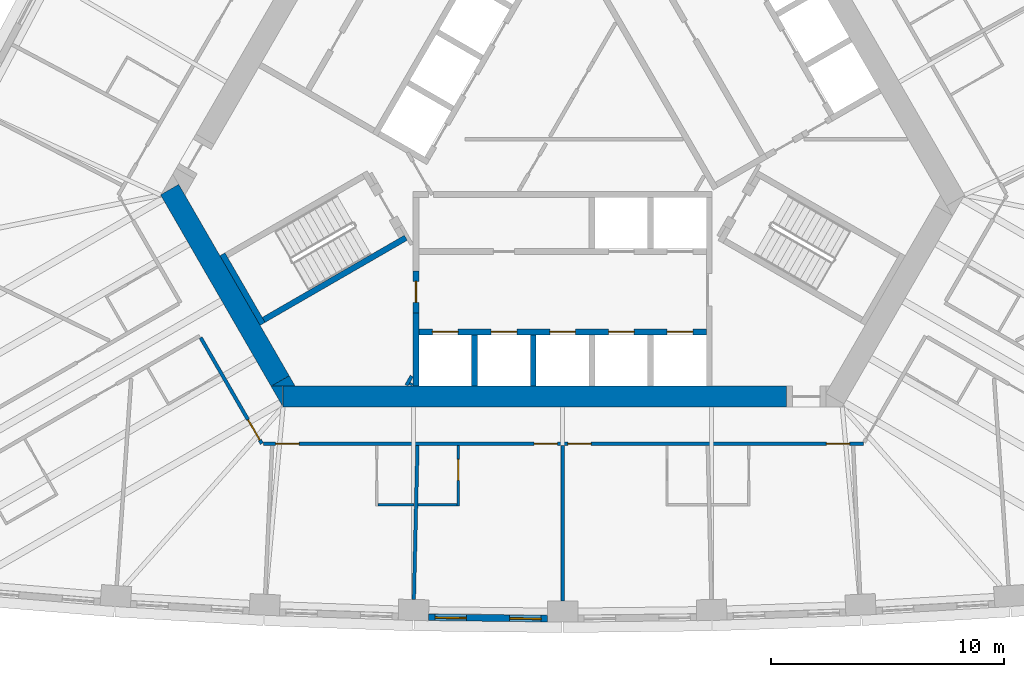
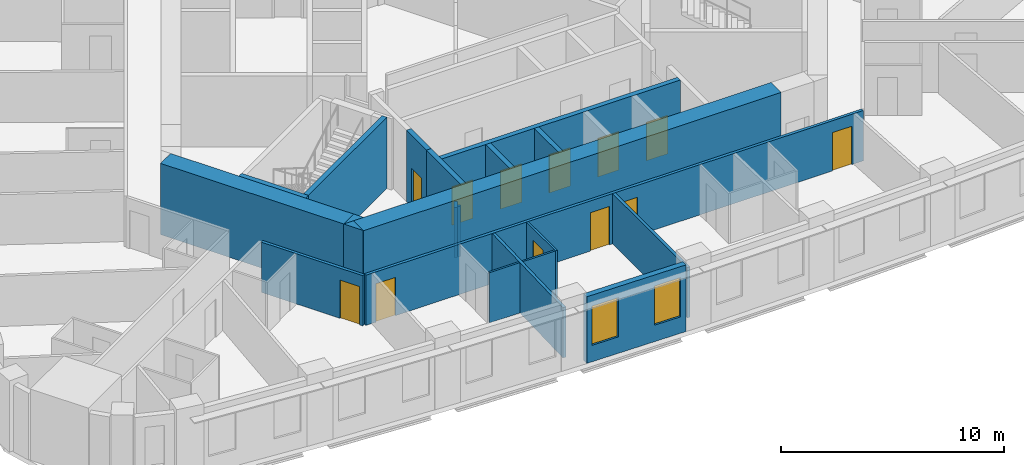
# One storey, part 4 of 13: 21 walls, 12 doors, 2 windows, 14 openings.
"""IFC4 building model written with IfcOpenShell, lengths in metres."""

import ifcopenshell
import ifcopenshell.guid

model = None  # the IFC model being written
_history = None  # IfcOwnerHistory: only IFC2X3 demands one
_inside = {}  # id of a spatial element -> (the spatial element, [elements in it])
_under = {}  # id of a project, library or spatial element -> (it, [spatial elements below it])
_declared = {}  # id of a project -> (the project, [libraries it declares])
_typed = {}  # id of a type object -> (the type object, [elements of that type])
_made_of = {}  # id of a material, layer set ... -> (it, [elements and type objects made of it])


def new_model(schema):
    """Start an empty IFC model of exactly this schema.

    Asked for "IFC4X3", IfcOpenShell would pick the latest addendum, in which some entities
    have other attributes; the version numbers below select the first issue.
    IFC2X3 requires an IfcOwnerHistory on every rooted entity: one is made here for all.
    """
    global model, _history
    if schema == "IFC4X3":
        model = ifcopenshell.file(schema_version=(4, 3, 0, 0))
    else:
        model = ifcopenshell.file(schema=schema)
    _inside.clear()
    _under.clear()
    _declared.clear()
    _typed.clear()
    _made_of.clear()
    _history = None
    if model.schema == "IFC2X3":
        org = make("IfcOrganization", Name="unknown")
        user = make(
            "IfcPersonAndOrganization",
            ThePerson=make("IfcPerson", FamilyName="unknown"),
            TheOrganization=org,
        )
        app = make(
            "IfcApplication",
            ApplicationDeveloper=org,
            Version="unknown",
            ApplicationFullName="unknown",
            ApplicationIdentifier="unknown",
        )
        _history = make(
            "IfcOwnerHistory",
            OwningUser=user,
            OwningApplication=app,
            ChangeAction="ADDED",
            CreationDate=0,
        )
    return model


def make(cls, **values):
    """One entity of the class cls with the attributes given. An attribute that is None is left unset."""
    return model.create_entity(
        cls, **{name: value for name, value in values.items() if value is not None}
    )


def rooted(cls, **values):
    """An entity with a GlobalId (a new one), such as an element, a storey or a relation."""
    return make(cls, GlobalId=ifcopenshell.guid.new(), OwnerHistory=_history, **values)


def si_unit(unit_type, name, prefix=None):
    """IfcSIUnit, for example si_unit("LENGTHUNIT", "METRE", prefix="MILLI")."""
    return make("IfcSIUnit", UnitType=unit_type, Prefix=prefix, Name=name)


def assignment(units):
    """IfcUnitAssignment: the units of a project."""
    return None if units is None else make("IfcUnitAssignment", Units=units)


def point(xyz):
    """IfcCartesianPoint."""
    return None if xyz is None else make("IfcCartesianPoint", Coordinates=xyz)


def direction(xyz):
    """IfcDirection."""
    return None if xyz is None else make("IfcDirection", DirectionRatios=xyz)


def frame(location, z_axis=None, x_axis=None):
    """IfcAxis2Placement3D, a coordinate frame: its origin and axes. An axis left out is left unset."""
    return make(
        "IfcAxis2Placement3D",
        Location=point(location),
        Axis=direction(z_axis),
        RefDirection=direction(x_axis),
    )


def frame_2d(location, x_axis=None):
    """IfcAxis2Placement2D, a coordinate frame in the plane: its origin and x axis."""
    return make(
        "IfcAxis2Placement2D", Location=point(location), RefDirection=direction(x_axis)
    )


def origin():
    """The frame at (0, 0, 0) with its axes left unset."""
    return frame((0.0, 0.0, 0.0))


def place(relative_to, where):
    """IfcLocalPlacement: puts the frame where relative to a parent placement (None: the world)."""
    return make(
        "IfcLocalPlacement", PlacementRelTo=relative_to, RelativePlacement=where
    )


def context(
    kind, dimensions, precision=None, world=None, true_north=None, identifier=None
):
    """IfcGeometricRepresentationContext, for example the 3D "Model" context."""
    return make(
        "IfcGeometricRepresentationContext",
        ContextIdentifier=identifier,
        ContextType=kind,
        CoordinateSpaceDimension=dimensions,
        Precision=precision,
        WorldCoordinateSystem=world,
        TrueNorth=true_north,
    )


def subcontext(parent, identifier, kind, view, scale=None):
    """IfcGeometricRepresentationSubContext, for example "Body" below "Model"."""
    return make(
        "IfcGeometricRepresentationSubContext",
        ContextIdentifier=identifier,
        ContextType=kind,
        ParentContext=parent,
        TargetScale=scale,
        TargetView=view,
    )


def project(units=None, contexts=None):
    """IfcProject with its units and contexts."""
    return rooted(
        "IfcProject",
        Name="project",
        RepresentationContexts=contexts,
        UnitsInContext=assignment(units),
    )


def spatial(cls, under=None, at=None, **own):
    """A site, building, storey or space (cls), placed at a placement, below another one or the project."""
    s = rooted(cls, ObjectPlacement=at, **own)
    if under is not None:
        _under.setdefault(under.id(), (under, []))[1].append(s)
    return s


def polyline(points):
    """IfcPolyline through the points."""
    return make("IfcPolyline", Points=[point(p) for p in points])


def profile(cls, at=None, kind="AREA", **sizes):
    """A parametric profile (cls). Its sizes go by their IFC names, for example OverallWidth=200.0."""
    return make(cls, ProfileType=kind, Position=at, **sizes)


def rectangle(**sizes):
    """IfcRectangleProfileDef."""
    return profile("IfcRectangleProfileDef", **sizes)


def outline(outer, holes=None, kind="AREA"):
    """IfcArbitraryClosedProfileDef: a profile drawn as a closed curve; with holes, ...WithVoids."""
    if holes is None:
        return make("IfcArbitraryClosedProfileDef", ProfileType=kind, OuterCurve=outer)
    return make(
        "IfcArbitraryProfileDefWithVoids",
        ProfileType=kind,
        OuterCurve=outer,
        InnerCurves=holes,
    )


def extrude(swept, where, along, depth):
    """IfcExtrudedAreaSolid: the profile swept, set in the frame where, extruded along a direction by depth."""
    return make(
        "IfcExtrudedAreaSolid",
        SweptArea=swept,
        Position=where,
        ExtrudedDirection=direction(along),
        Depth=depth,
    )


def shape(context_of_items, identifier, shape_type, items):
    """IfcShapeRepresentation: the items that make up one representation, for example the "Body"."""
    return make(
        "IfcShapeRepresentation",
        ContextOfItems=context_of_items,
        RepresentationIdentifier=identifier,
        RepresentationType=shape_type,
        Items=items,
    )


def material(Name=None, Category=None):
    """IfcMaterial."""
    return make("IfcMaterial", Name=Name, Category=Category)


def layer(
    of_material, thickness, ventilated=None, Name=None, Category=None, Priority=None
):
    """IfcMaterialLayer: one layer of a wall or slab, of a material (None: an air gap)."""
    return make(
        "IfcMaterialLayer",
        Material=of_material,
        LayerThickness=thickness,
        IsVentilated=ventilated,
        Name=Name,
        Category=Category,
        Priority=Priority,
    )


def layer_set(layers, Name=None):
    """IfcMaterialLayerSet."""
    return make("IfcMaterialLayerSet", MaterialLayers=layers, LayerSetName=Name)


def made_of(thing, what):
    """Note that an element or type object is made of a material, layer set ...; save() writes the relation."""
    if what is not None:
        _made_of.setdefault(what.id(), (what, []))[1].append(thing)
    return thing


def type_object(cls, material=None, **own):
    """A type object (cls), such as IfcWallType, which elements share."""
    return made_of(rooted(cls, **own), material)


def element(
    cls,
    number,
    at=None,
    inside=None,
    cuts=None,
    type_object=None,
    material=None,
    context=None,
    identifier="Body",
    shape_type=None,
    held_by="IfcProductDefinitionShape",
    body=None,
    shapes=None,
    **own,
):
    """One element of the class cls, such as IfcWall. Its Tag is "e" and its number.

    at: its placement. inside: the storey or other place that contains it. cuts: it is an
    opening in that element (IfcRelVoidsElement). A single representation is given by context,
    identifier, shape_type and body (its items); several are given by shapes. held_by: the class
    of the entity that holds the representations. save() writes the other relations.
    """
    e = rooted(cls, Tag="e%d" % number, ObjectPlacement=at, **own)
    if body is not None:
        shapes = [shape(context, identifier, shape_type, body)]
    if shapes is not None:
        e.Representation = make(held_by, Representations=shapes)
    if inside is not None:
        _inside.setdefault(inside.id(), (inside, []))[1].append(e)
    if cuts is not None:
        rooted(
            "IfcRelVoidsElement", RelatingBuildingElement=cuts, RelatedOpeningElement=e
        )
    if type_object is not None:
        _typed.setdefault(type_object.id(), (type_object, []))[1].append(e)
    return made_of(e, material)


def fill(opening, filler):
    """IfcRelFillsElement: the door or window that sits in an opening."""
    return rooted(
        "IfcRelFillsElement",
        RelatingOpeningElement=opening,
        RelatedBuildingElement=filler,
    )


def aggregate(whole, parts):
    """IfcRelAggregates: a whole, such as a stair, and the parts it consists of."""
    return rooted("IfcRelAggregates", RelatingObject=whole, RelatedObjects=parts)


def save(model, path):
    """Write the relations noted so far, then the file.

    IfcRelAggregates (storeys below a building ...), IfcRelContainedInSpatialStructure (elements
    in a storey), IfcRelDefinesByType, IfcRelAssociatesMaterial and IfcRelDeclares: one each for
    every whole, place, type object, material and project.
    """
    for whole, parts in _under.values():
        aggregate(whole, parts)
    for where, things in _inside.values():
        rooted(
            "IfcRelContainedInSpatialStructure",
            RelatedElements=things,
            RelatingStructure=where,
        )
    for kind, things in _typed.values():
        rooted("IfcRelDefinesByType", RelatedObjects=things, RelatingType=kind)
    for what, things in _made_of.values():
        rooted("IfcRelAssociatesMaterial", RelatedObjects=things, RelatingMaterial=what)
    for by, libraries in _declared.values():
        rooted("IfcRelDeclares", RelatingContext=by, RelatedDefinitions=libraries)
    model.write(path)


model = new_model("IFC4")

# Units and contexts
model_context = context("Model", 3, precision=1e-05, world=origin(), true_north=direction((0.0, 1.0)))
body_context = subcontext(model_context, "Body", "Model", "MODEL_VIEW")
ifc_project = project(units=[si_unit("LENGTHUNIT", "METRE"), si_unit("AREAUNIT", "SQUARE_METRE"), si_unit("VOLUMEUNIT", "CUBIC_METRE"), si_unit("PLANEANGLEUNIT", "RADIAN"), si_unit("MASSUNIT", "GRAM", prefix="KILO")], contexts=[model_context])

# Site, building, storey
site_placement = place(None, origin())
site = spatial("IfcSite", under=ifc_project, at=site_placement, CompositionType="ELEMENT")
building_placement = place(site_placement, origin())
building = spatial("IfcBuilding", under=site, at=building_placement, Name="Mestral Congress Tower", CompositionType="ELEMENT")
storey_placement = place(building_placement, frame((0.0, 0.0, 95.39990234375)))
storey = spatial("IfcBuildingStorey", under=building, at=storey_placement, Name="L22", CompositionType="ELEMENT", Elevation=95.39990234375)

# Walls
ifc_material_1 = material(Name="Fire-rated board partition")
ifc_layer_1 = layer(ifc_material_1, 0.14990234375)
ifc_layer_set_1 = layer_set([ifc_layer_1], Name="Fire-rated board partition")
wall_type_1 = type_object("IfcWallType", Name="Core partition 150", PredefinedType="PARTITIONING", material=ifc_layer_set_1)
wall_1_placement = place(storey_placement, frame((-6.707763671875, -12.068115234375, 0.0), z_axis=(0.0, 0.0, 1.0), x_axis=(0.500000789788, 0.8660249478, 0.0)))
element("IfcWall", 1, at=wall_1_placement, inside=storey, type_object=wall_type_1, Name="L22 core wall", PredefinedType="PARTITIONING", context=body_context, shape_type="SweptSolid", body=[
    extrude(rectangle(XDim=0.45556640625, YDim=0.14990234375, at=frame_2d((0.227783203125, 0.0))), origin(), (0.0, 0.0, 1.0), 2.75),
])
wall_2_placement = place(storey_placement, frame((-6.534423828125, -12.068115234375, 0.0), z_axis=(0.0, 0.0, 1.0), x_axis=(0.500240224089, 0.865886665912, 0.0)))
element("IfcWall", 2, at=wall_2_placement, inside=storey, type_object=wall_type_1, Name="L22 core wall", PredefinedType="PARTITIONING", context=body_context, shape_type="SweptSolid", body=[
    extrude(rectangle(XDim=0.10888671875, YDim=0.14990234375, at=frame_2d((0.054443359375, 0.0))), origin(), (0.0, 0.0, 1.0), 2.75),
])
ifc_material_2 = material(Name="Concrete C60/75", Category="concrete")
ifc_layer_2 = layer(ifc_material_2, 0.89990234375)
ifc_layer_set_2 = layer_set([ifc_layer_2], Name="Concrete C60/75")
wall_type_2 = type_object("IfcWallType", Name="Core wall RC 900", PredefinedType="SOLIDWALL", material=ifc_layer_set_2)
wall_3_placement = place(storey_placement, frame((-12.0185546875, -12.550048828125, 0.0), z_axis=(0.0, 0.0, 1.0), x_axis=(1.0, 0.0, 0.0)))
element("IfcWall", 3, at=wall_3_placement, inside=storey, type_object=wall_type_2, Name="L22 core wall", PredefinedType="SOLIDWALL", context=body_context, shape_type="SweptSolid", body=[
    extrude(rectangle(XDim=21.63037109375, YDim=0.89990234375, at=frame_2d((10.815185546875, 0.0))), origin(), (0.0, 0.0, 1.0), 3.900146484375),
])
placement = place(storey_placement, origin())
element("IfcWall", 4, at=placement, inside=storey, type_object=wall_type_2, Name="L22 core wall", PredefinedType="SOLIDWALL", context=body_context, shape_type="SweptSolid", body=[
    extrude(outline(polyline([(-12.528564453125, -12.10009765625), (-12.0205078125, -12.10009765625), (-12.0205078125, -12.97998046875), (-12.528564453125, -12.10009765625)])), origin(), (0.0, 0.0, 1.0), 3.900146484375),
])
wall_5_placement = place(storey_placement, frame((-12.134033203125, -11.88330078125, 0.0), z_axis=(0.0, 0.0, 1.0), x_axis=(-0.500005339912, 0.866022320763, 0.0)))
element("IfcWall", 5, at=wall_5_placement, inside=storey, type_object=wall_type_2, Name="L22 core wall", PredefinedType="SOLIDWALL", context=body_context, shape_type="SweptSolid", body=[
    extrude(rectangle(XDim=9.48779296875, YDim=0.89990234375, at=frame_2d((4.743896484375, 0.0))), origin(), (0.0, 0.0, 1.0), 3.900146484375),
])
element("IfcWall", 6, at=placement, inside=storey, type_object=wall_type_2, Name="L22 core wall", PredefinedType="SOLIDWALL", context=body_context, shape_type="SweptSolid", body=[
    extrude(outline(polyline([(-11.4892578125, -12.10009765625), (-12.50537109375, -12.10009765625), (-11.743408203125, -11.66015625), (-11.4892578125, -12.10009765625)])), origin(), (0.0, 0.0, 1.0), 3.900146484375),
])

# Wall, openings, windows
ifc_material_3 = material(Name="Precast concrete C40/50 with limestone facing", Category="masonry")
ifc_layer_3 = layer(ifc_material_3, 0.2900390625)
ifc_layer_set_3 = layer_set([ifc_layer_3], Name="Precast concrete C40/50 with limestone facing")
wall_type_3 = type_object("IfcWallType", Name="Facade stone wall 290", PredefinedType="SOLIDWALL", material=ifc_layer_set_3)
wall_7_placement = place(storey_placement, frame((-5.753173828125, -22.031494140625, 0.0), z_axis=(0.0, 0.0, 1.0), x_axis=(0.999931786565, -0.011679992145, 0.0)))
wall_7 = element("IfcWall", 7, at=wall_7_placement, inside=storey, type_object=wall_type_3, Name="Facade wall F0-03", PredefinedType="SOLIDWALL", context=body_context, shape_type="SweptSolid", body=[
    extrude(rectangle(XDim=5.10009765625, YDim=0.2900390625, at=frame_2d((2.550048828125, 0.0))), origin(), (0.0, 0.0, 1.0), 3.650146484375),
])
opening_1_placement = place(wall_7_placement, frame((0.2724609375, 0.0, 0.89990234375)))
opening_1 = element("IfcOpeningElement", 8, at=opening_1_placement, cuts=wall_7, Name="Opening W2", PredefinedType="OPENING", context=body_context, shape_type="SweptSolid", body=[
    extrude(rectangle(XDim=1.35009765625, YDim=2.14990234375, at=frame_2d((0.675048828125, 1.074951171875))), frame((0.0, 0.155029296875, 0.0), z_axis=(0.0, -1.0, 0.0), x_axis=(1.0, 0.0, 0.0)), (0.0, 0.0, 1.0), 0.31005859375),
])
opening_2_placement = place(wall_7_placement, frame((3.477783203125, 0.0, 0.89990234375)))
opening_2 = element("IfcOpeningElement", 9, at=opening_2_placement, cuts=wall_7, Name="Opening W2", PredefinedType="OPENING", context=body_context, shape_type="SweptSolid", body=[
    extrude(rectangle(XDim=1.35009765625, YDim=2.14990234375, at=frame_2d((0.675048828125, 1.074951171875))), frame((0.0, 0.155029296875, 0.0), z_axis=(0.0, -1.0, 0.0), x_axis=(1.0, 0.0, 0.0)), (0.0, 0.0, 1.0), 0.31005859375),
])
ifc_material_4 = material(Name="Clear low-emissivity double glazing", Category="glass")
window_type = type_object("IfcWindowType", Name="Facade punched window 1350 x 2150 sill 900", PartitioningType="DOUBLE_PANEL_VERTICAL", PredefinedType="WINDOW", material=ifc_material_4)
window_1_placement = place(opening_1_placement, origin())
window_1 = element("IfcWindow", 10, at=window_1_placement, inside=storey, type_object=window_type, Name="Window F0-03a", OverallHeight=2.14990234375, OverallWidth=1.35009765625, PartitioningType="DOUBLE_PANEL_VERTICAL", PredefinedType="WINDOW", context=body_context, shape_type="SweptSolid", body=[
    extrude(rectangle(XDim=1.35009765625, YDim=2.14990234375, at=frame_2d((0.675048828125, 1.074951171875))), frame((0.0, 0.01513671875, 0.0), z_axis=(0.0, -1.0, 0.0), x_axis=(1.0, 0.0, 0.0)), (0.0, 0.0, 1.0), 0.06005859375),
])
fill(opening_1, window_1)
window_2_placement = place(opening_2_placement, origin())
window_2 = element("IfcWindow", 11, at=window_2_placement, inside=storey, type_object=window_type, Name="Window F0-03b", OverallHeight=2.14990234375, OverallWidth=1.35009765625, PartitioningType="DOUBLE_PANEL_VERTICAL", PredefinedType="WINDOW", context=body_context, shape_type="SweptSolid", body=[
    extrude(rectangle(XDim=1.35009765625, YDim=2.14990234375, at=frame_2d((0.675048828125, 1.074951171875))), frame((0.0, 0.01513671875, 0.0), z_axis=(0.0, -1.0, 0.0), x_axis=(1.0, 0.0, 0.0)), (0.0, 0.0, 1.0), 0.06005859375),
])
fill(opening_2, window_2)

# Wall
ifc_material_5 = material(Name="Gypsum board partition on metal studs with mineral wool", Category="composite")
ifc_layer_4 = layer(ifc_material_5, 0.10009765625)
ifc_layer_set_4 = layer_set([ifc_layer_4], Name="Gypsum board partition on metal studs with mineral wool")
wall_type_4 = type_object("IfcWallType", Name="Hotel partition wall 100", PredefinedType="PARTITIONING", material=ifc_layer_set_4)
wall_8_placement = place(storey_placement, frame((-7.937744140625, -17.199951171875, 0.0), z_axis=(0.0, 0.0, 1.0), x_axis=(1.0, 0.0, 0.0)))
element("IfcWall", 12, at=wall_8_placement, inside=storey, type_object=wall_type_4, Name="L22-h-pod03b", PredefinedType="PARTITIONING", context=body_context, shape_type="SweptSolid", body=[
    extrude(rectangle(XDim=1.56005859375, YDim=0.10009765625, at=frame_2d((0.780029296875, 0.0))), origin(), (0.0, 0.0, 1.0), 2.75),
])

# Wall, opening, door
wall_9_placement = place(storey_placement, frame((-4.480224609375, -17.25, 0.0), z_axis=(0.0, 0.0, 1.0), x_axis=(0.0, 1.0, 0.0)))
wall_9 = element("IfcWall", 13, at=wall_9_placement, inside=storey, type_object=wall_type_4, Name="L22-h-pod04a", PredefinedType="PARTITIONING", context=body_context, shape_type="SweptSolid", body=[
    extrude(rectangle(XDim=2.60009765625, YDim=0.10009765625, at=frame_2d((1.300048828125, 0.0))), origin(), (0.0, 0.0, 1.0), 2.75),
])
opening_3_placement = place(wall_9_placement, frame((1.10009765625, 0.0, 0.0)))
opening_3 = element("IfcOpeningElement", 14, at=opening_3_placement, cuts=wall_9, Name="Opening H07-008", PredefinedType="OPENING", context=body_context, shape_type="SweptSolid", body=[
    extrude(rectangle(XDim=0.89990234375, YDim=2.10009765625, at=frame_2d((0.449951171875, 1.050048828125))), frame((0.0, 0.06005859375, 0.0), z_axis=(0.0, -1.0, 0.0), x_axis=(1.0, 0.0, 0.0)), (0.0, 0.0, 1.0), 0.1201171875),
])
ifc_material_6 = material(Name="Timber veneer door leaf in timber frame", Category="wood")
door_type_1 = type_object("IfcDoorType", Name="Bathroom door 900", OperationType="SINGLE_SWING_LEFT", PredefinedType="DOOR", material=ifc_material_6)
door_1_placement = place(opening_3_placement, origin())
door_1 = element("IfcDoor", 15, at=door_1_placement, inside=storey, type_object=door_type_1, Name="L22-h-d008", OperationType="SINGLE_SWING_LEFT", OverallHeight=2.10009765625, OverallWidth=0.89990234375, PredefinedType="DOOR", context=body_context, shape_type="SweptSolid", body=[
    extrude(rectangle(XDim=0.89990234375, YDim=2.10009765625, at=frame_2d((0.449951171875, 1.050048828125))), frame((0.0, 0.02490234375, 0.0), z_axis=(0.0, -1.0, 0.0), x_axis=(1.0, 0.0, 0.0)), (0.0, 0.0, 1.0), 0.050048828125),
])
fill(opening_3, door_1)

# Wall
wall_10_placement = place(storey_placement, frame((-4.5302734375, -17.199951171875, 0.0), z_axis=(0.0, 0.0, 1.0), x_axis=(-1.0, 0.0, 0.0)))
element("IfcWall", 16, at=wall_10_placement, inside=storey, type_object=wall_type_4, Name="L22-h-pod04b", PredefinedType="PARTITIONING", context=body_context, shape_type="SweptSolid", body=[
    extrude(rectangle(XDim=1.679931640625, YDim=0.10009765625, at=frame_2d((0.83984375, 0.0))), origin(), (0.0, 0.0, 1.0), 2.75),
])

# Wall, opening, door
ifc_layer_5 = layer(ifc_material_5, 0.14990234375)
ifc_layer_set_5 = layer_set([ifc_layer_5], Name="Gypsum board partition on metal studs with mineral wool")
wall_type_5 = type_object("IfcWallType", Name="Hotel partition wall 150", PredefinedType="PARTITIONING", material=ifc_layer_set_5)
wall_11_placement = place(storey_placement, frame((-12.918212890625, -14.574951171875, 0.0), z_axis=(0.0, 0.0, 1.0), x_axis=(-0.500009150678, 0.866020120573, 0.0)))
wall_11 = element("IfcWall", 17, at=wall_11_placement, inside=storey, type_object=wall_type_5, Name="L22-h-cw12", PredefinedType="PARTITIONING", context=body_context, shape_type="SweptSolid", body=[
    extrude(rectangle(XDim=5.25830078125, YDim=0.14990234375, at=frame_2d((2.629150390625, 0.0))), origin(), (0.0, 0.0, 1.0), 2.75),
])
opening_4_placement = place(wall_11_placement, frame((0.179931640625, 0.0, 0.0)))
opening_4 = element("IfcOpeningElement", 18, at=opening_4_placement, cuts=wall_11, Name="Opening H07-003", PredefinedType="OPENING", context=body_context, shape_type="SweptSolid", body=[
    extrude(rectangle(XDim=1.0, YDim=2.10009765625, at=frame_2d((0.5, 1.050048828125))), frame((0.0, 0.0849609375, 0.0), z_axis=(0.0, -1.0, 0.0), x_axis=(1.0, 0.0, 0.0)), (0.0, 0.0, 1.0), 0.169921875),
])
ifc_material_7 = material(Name="Timber veneer door leaf in metal frame", Category="wood")
door_type_2 = type_object("IfcDoorType", Name="Guest room entrance door 1000", OperationType="SINGLE_SWING_LEFT", PredefinedType="DOOR", material=ifc_material_7)
door_2_placement = place(opening_4_placement, origin())
door_2 = element("IfcDoor", 19, at=door_2_placement, inside=storey, type_object=door_type_2, Name="L22-h-d003", OperationType="SINGLE_SWING_LEFT", OverallHeight=2.10009765625, OverallWidth=1.0, PredefinedType="DOOR", context=body_context, shape_type="SweptSolid", body=[
    extrude(rectangle(XDim=1.0, YDim=2.10009765625, at=frame_2d((0.5, 1.050048828125))), frame((0.0, 0.02490234375, 0.0), z_axis=(0.0, -1.0, 0.0), x_axis=(1.0, 0.0, 0.0)), (0.0, 0.0, 1.0), 0.050048828125),
])
fill(opening_4, door_2)

# Wall, openings, doors
wall_12_placement = place(storey_placement, frame((12.918212890625, -14.574951171875, 0.0), z_axis=(0.0, 0.0, 1.0), x_axis=(-1.0, 0.0, 0.0)))
wall_12 = element("IfcWall", 20, at=wall_12_placement, inside=storey, type_object=wall_type_5, Name="L22-h-cw13", PredefinedType="PARTITIONING", context=body_context, shape_type="SweptSolid", body=[
    extrude(rectangle(XDim=25.766357421875, YDim=0.14990234375, at=frame_2d((12.88330078125, 0.0))), origin(), (0.0, 0.0, 1.0), 2.75),
])
opening_5_placement = place(wall_12_placement, frame((24.240478515625, 0.0, 0.0)))
opening_5 = element("IfcOpeningElement", 21, at=opening_5_placement, cuts=wall_12, Name="Opening H07-005", PredefinedType="OPENING", context=body_context, shape_type="SweptSolid", body=[
    extrude(rectangle(XDim=1.0, YDim=2.10009765625, at=frame_2d((0.5, 1.050048828125))), frame((0.0, 0.0849609375, 0.0), z_axis=(0.0, -1.0, 0.0), x_axis=(1.0, 0.0, 0.0)), (0.0, 0.0, 1.0), 0.169921875),
])
opening_6_placement = place(wall_12_placement, frame((13.144287109375, 0.0, 0.0)))
opening_6 = element("IfcOpeningElement", 22, at=opening_6_placement, cuts=wall_12, Name="Opening H07-007", PredefinedType="OPENING", context=body_context, shape_type="SweptSolid", body=[
    extrude(rectangle(XDim=1.0, YDim=2.10009765625, at=frame_2d((0.5, 1.050048828125))), frame((0.0, 0.0849609375, 0.0), z_axis=(0.0, -1.0, 0.0), x_axis=(1.0, 0.0, 0.0)), (0.0, 0.0, 1.0), 0.169921875),
])
opening_7_placement = place(wall_12_placement, frame((11.693115234375, 0.0, 0.0)))
opening_7 = element("IfcOpeningElement", 23, at=opening_7_placement, cuts=wall_12, Name="Opening H07-009", PredefinedType="OPENING", context=body_context, shape_type="SweptSolid", body=[
    extrude(rectangle(XDim=1.0, YDim=2.10009765625, at=frame_2d((0.5, 1.050048828125))), frame((0.0, 0.0849609375, 0.0), z_axis=(0.0, -1.0, 0.0), x_axis=(1.0, 0.0, 0.0)), (0.0, 0.0, 1.0), 0.169921875),
])
opening_8_placement = place(wall_12_placement, frame((0.595947265625, 0.0, 0.0)))
opening_8 = element("IfcOpeningElement", 24, at=opening_8_placement, cuts=wall_12, Name="Opening H07-011", PredefinedType="OPENING", context=body_context, shape_type="SweptSolid", body=[
    extrude(rectangle(XDim=1.0, YDim=2.10009765625, at=frame_2d((0.5, 1.050048828125))), frame((0.0, 0.0849609375, 0.0), z_axis=(0.0, -1.0, 0.0), x_axis=(1.0, 0.0, 0.0)), (0.0, 0.0, 1.0), 0.169921875),
])
door_3_placement = place(opening_5_placement, origin())
door_3 = element("IfcDoor", 25, at=door_3_placement, inside=storey, type_object=door_type_2, Name="L22-h-d005", OperationType="SINGLE_SWING_RIGHT", OverallHeight=2.10009765625, OverallWidth=1.0, PredefinedType="DOOR", context=body_context, shape_type="SweptSolid", body=[
    extrude(rectangle(XDim=1.0, YDim=2.10009765625, at=frame_2d((0.5, 1.050048828125))), frame((0.0, 0.02490234375, 0.0), z_axis=(0.0, -1.0, 0.0), x_axis=(1.0, 0.0, 0.0)), (0.0, 0.0, 1.0), 0.050048828125),
])
fill(opening_5, door_3)
door_4_placement = place(opening_6_placement, origin())
door_4 = element("IfcDoor", 26, at=door_4_placement, inside=storey, type_object=door_type_2, Name="L22-h-d007", OperationType="SINGLE_SWING_LEFT", OverallHeight=2.10009765625, OverallWidth=1.0, PredefinedType="DOOR", context=body_context, shape_type="SweptSolid", body=[
    extrude(rectangle(XDim=1.0, YDim=2.10009765625, at=frame_2d((0.5, 1.050048828125))), frame((0.0, 0.02490234375, 0.0), z_axis=(0.0, -1.0, 0.0), x_axis=(1.0, 0.0, 0.0)), (0.0, 0.0, 1.0), 0.050048828125),
])
fill(opening_6, door_4)
door_5_placement = place(opening_7_placement, origin())
door_5 = element("IfcDoor", 27, at=door_5_placement, inside=storey, type_object=door_type_2, Name="L22-h-d009", OperationType="SINGLE_SWING_RIGHT", OverallHeight=2.10009765625, OverallWidth=1.0, PredefinedType="DOOR", context=body_context, shape_type="SweptSolid", body=[
    extrude(rectangle(XDim=1.0, YDim=2.10009765625, at=frame_2d((0.5, 1.050048828125))), frame((0.0, 0.02490234375, 0.0), z_axis=(0.0, -1.0, 0.0), x_axis=(1.0, 0.0, 0.0)), (0.0, 0.0, 1.0), 0.050048828125),
])
fill(opening_7, door_5)
door_6_placement = place(opening_8_placement, origin())
door_6 = element("IfcDoor", 28, at=door_6_placement, inside=storey, type_object=door_type_2, Name="L22-h-d011", OperationType="SINGLE_SWING_LEFT", OverallHeight=2.10009765625, OverallWidth=1.0, PredefinedType="DOOR", context=body_context, shape_type="SweptSolid", body=[
    extrude(rectangle(XDim=1.0, YDim=2.10009765625, at=frame_2d((0.5, 1.050048828125))), frame((0.0, 0.02490234375, 0.0), z_axis=(0.0, -1.0, 0.0), x_axis=(1.0, 0.0, 0.0)), (0.0, 0.0, 1.0), 0.050048828125),
])
fill(opening_8, door_6)

# Walls
wall_13_placement = place(storey_placement, frame((-6.388916015625, -21.268798828125, 0.0), z_axis=(0.0, 0.0, 1.0), x_axis=(0.023377429176, 0.999726710559, 0.0)))
element("IfcWall", 29, at=wall_13_placement, inside=storey, type_object=wall_type_5, Name="L22-h-pw12", PredefinedType="PARTITIONING", context=body_context, shape_type="SweptSolid", body=[
    extrude(rectangle(XDim=6.610595703125, YDim=0.14990234375, at=frame_2d((3.30517578125, 0.0))), origin(), (0.0, 0.0, 1.0), 2.75),
])
wall_14_placement = place(storey_placement, frame((0.0, -21.343505859375, 0.0), z_axis=(0.0, 0.0, 1.0), x_axis=(0.0, 1.0, 0.0)))
element("IfcWall", 30, at=wall_14_placement, inside=storey, type_object=wall_type_5, Name="L22-h-pw15", PredefinedType="PARTITIONING", context=body_context, shape_type="SweptSolid", body=[
    extrude(rectangle(XDim=6.693603515625, YDim=0.14990234375, at=frame_2d((3.3466796875, 0.0))), origin(), (0.0, 0.0, 1.0), 2.75),
])
ifc_layer_6 = layer(ifc_material_2, 0.25)
ifc_layer_set_6 = layer_set([ifc_layer_6], Name="Concrete C60/75")
wall_type_6 = type_object("IfcWallType", Name="Shaft wall RC 250", PredefinedType="SOLIDWALL", material=ifc_layer_set_6)
wall_15_placement = place(storey_placement, frame((-3.780029296875, -12.10009765625, 0.0), z_axis=(0.0, 0.0, 1.0), x_axis=(0.0, 1.0, 0.0)))
element("IfcWall", 31, at=wall_15_placement, inside=storey, type_object=wall_type_6, Name="L22 core wall", PredefinedType="SOLIDWALL", context=body_context, shape_type="SweptSolid", body=[
    extrude(rectangle(XDim=2.199951171875, YDim=0.25, at=frame_2d((1.10009765625, 0.0))), origin(), (0.0, 0.0, 1.0), 3.900146484375),
])
wall_16_placement = place(storey_placement, frame((-6.300048828125, -12.10009765625, 0.0), z_axis=(0.0, 0.0, 1.0), x_axis=(0.0, 1.0, 0.0)))
element("IfcWall", 32, at=wall_16_placement, inside=storey, type_object=wall_type_6, Name="L22 core wall", PredefinedType="SOLIDWALL", context=body_context, shape_type="SweptSolid", body=[
    extrude(rectangle(XDim=3.1455078125, YDim=0.25, at=frame_2d((1.57275390625, 0.0))), origin(), (0.0, 0.0, 1.0), 3.900146484375),
])
wall_17_placement = place(storey_placement, frame((-1.260009765625, -12.10009765625, 0.0), z_axis=(0.0, 0.0, 1.0), x_axis=(0.0, 1.0, 0.0)))
element("IfcWall", 33, at=wall_17_placement, inside=storey, type_object=wall_type_6, Name="L22 core wall", PredefinedType="SOLIDWALL", context=body_context, shape_type="SweptSolid", body=[
    extrude(rectangle(XDim=2.199951171875, YDim=0.25, at=frame_2d((1.10009765625, 0.0))), origin(), (0.0, 0.0, 1.0), 3.900146484375),
])

# Wall, openings, doors
wall_18_placement = place(storey_placement, frame((-6.175048828125, -9.77490234375, 0.0), z_axis=(0.0, 0.0, 1.0), x_axis=(1.0, 0.0, 0.0)))
wall_18 = element("IfcWall", 34, at=wall_18_placement, inside=storey, type_object=wall_type_6, Name="L22 door wall", PredefinedType="SOLIDWALL", context=body_context, shape_type="SweptSolid", body=[
    extrude(rectangle(XDim=12.35009765625, YDim=0.25, at=frame_2d((6.175048828125, 0.0))), origin(), (0.0, 0.0, 1.0), 3.900146484375),
])
opening_9_placement = place(wall_18_placement, frame((0.5849609375, 0.0, 0.0)))
opening_9 = element("IfcOpeningElement", 35, at=opening_9_placement, cuts=wall_18, Name="Opening LD-SOA1", PredefinedType="OPENING", context=body_context, shape_type="SweptSolid", body=[
    extrude(rectangle(XDim=1.10009765625, YDim=2.10009765625, at=frame_2d((0.550048828125, 1.050048828125))), frame((0.0, 0.135009765625, 0.0), z_axis=(0.0, -1.0, 0.0), x_axis=(1.0, 0.0, 0.0)), (0.0, 0.0, 1.0), 0.27001953125),
])
opening_10_placement = place(wall_18_placement, frame((3.10498046875, 0.0, 0.0)))
opening_10 = element("IfcOpeningElement", 36, at=opening_10_placement, cuts=wall_18, Name="Opening LD-SOA2", PredefinedType="OPENING", context=body_context, shape_type="SweptSolid", body=[
    extrude(rectangle(XDim=1.10009765625, YDim=2.10009765625, at=frame_2d((0.550048828125, 1.050048828125))), frame((0.0, 0.135009765625, 0.0), z_axis=(0.0, -1.0, 0.0), x_axis=(1.0, 0.0, 0.0)), (0.0, 0.0, 1.0), 0.27001953125),
])
opening_11_placement = place(wall_18_placement, frame((5.625, 0.0, 0.0)))
opening_11 = element("IfcOpeningElement", 37, at=opening_11_placement, cuts=wall_18, Name="Opening LD-SOA3", PredefinedType="OPENING", context=body_context, shape_type="SweptSolid", body=[
    extrude(rectangle(XDim=1.10009765625, YDim=2.10009765625, at=frame_2d((0.550048828125, 1.050048828125))), frame((0.0, 0.135009765625, 0.0), z_axis=(0.0, -1.0, 0.0), x_axis=(1.0, 0.0, 0.0)), (0.0, 0.0, 1.0), 0.27001953125),
])
opening_12_placement = place(wall_18_placement, frame((8.14501953125, 0.0, 0.0)))
opening_12 = element("IfcOpeningElement", 38, at=opening_12_placement, cuts=wall_18, Name="Opening LD-SOA4", PredefinedType="OPENING", context=body_context, shape_type="SweptSolid", body=[
    extrude(rectangle(XDim=1.10009765625, YDim=2.10009765625, at=frame_2d((0.550048828125, 1.050048828125))), frame((0.0, 0.135009765625, 0.0), z_axis=(0.0, -1.0, 0.0), x_axis=(1.0, 0.0, 0.0)), (0.0, 0.0, 1.0), 0.27001953125),
])
opening_13_placement = place(wall_18_placement, frame((10.6650390625, 0.0, 0.0)))
opening_13 = element("IfcOpeningElement", 39, at=opening_13_placement, cuts=wall_18, Name="Opening LD-SOA5", PredefinedType="OPENING", context=body_context, shape_type="SweptSolid", body=[
    extrude(rectangle(XDim=1.10009765625, YDim=2.10009765625, at=frame_2d((0.550048828125, 1.050048828125))), frame((0.0, 0.135009765625, 0.0), z_axis=(0.0, -1.0, 0.0), x_axis=(1.0, 0.0, 0.0)), (0.0, 0.0, 1.0), 0.27001953125),
])
ifc_material_8 = material(Name="Fire-rated steel door set", Category="steel")
door_type_3 = type_object("IfcDoorType", Name="Core door LD 1100x2100", OperationType="DOUBLE_DOOR_SLIDING", PredefinedType="DOOR", material=ifc_material_8)
door_7_placement = place(opening_9_placement, origin())
door_7 = element("IfcDoor", 40, at=door_7_placement, inside=storey, type_object=door_type_3, Name="Door LD-SOA1", OperationType="DOUBLE_DOOR_SLIDING", OverallHeight=2.10009765625, OverallWidth=1.10009765625, PredefinedType="DOOR", context=body_context, shape_type="SweptSolid", body=[
    extrude(rectangle(XDim=1.10009765625, YDim=2.10009765625, at=frame_2d((0.550048828125, 1.050048828125))), frame((0.0, 0.02490234375, 0.0), z_axis=(0.0, -1.0, 0.0), x_axis=(1.0, 0.0, 0.0)), (0.0, 0.0, 1.0), 0.050048828125),
])
fill(opening_9, door_7)
door_8_placement = place(opening_10_placement, origin())
door_8 = element("IfcDoor", 41, at=door_8_placement, inside=storey, type_object=door_type_3, Name="Door LD-SOA2", OperationType="DOUBLE_DOOR_SLIDING", OverallHeight=2.10009765625, OverallWidth=1.10009765625, PredefinedType="DOOR", context=body_context, shape_type="SweptSolid", body=[
    extrude(rectangle(XDim=1.10009765625, YDim=2.10009765625, at=frame_2d((0.550048828125, 1.050048828125))), frame((0.0, 0.02490234375, 0.0), z_axis=(0.0, -1.0, 0.0), x_axis=(1.0, 0.0, 0.0)), (0.0, 0.0, 1.0), 0.050048828125),
])
fill(opening_10, door_8)
door_9_placement = place(opening_11_placement, origin())
door_9 = element("IfcDoor", 42, at=door_9_placement, inside=storey, type_object=door_type_3, Name="Door LD-SOA3", OperationType="DOUBLE_DOOR_SLIDING", OverallHeight=2.10009765625, OverallWidth=1.10009765625, PredefinedType="DOOR", context=body_context, shape_type="SweptSolid", body=[
    extrude(rectangle(XDim=1.10009765625, YDim=2.10009765625, at=frame_2d((0.550048828125, 1.050048828125))), frame((0.0, 0.02490234375, 0.0), z_axis=(0.0, -1.0, 0.0), x_axis=(1.0, 0.0, 0.0)), (0.0, 0.0, 1.0), 0.050048828125),
])
fill(opening_11, door_9)
door_10_placement = place(opening_12_placement, origin())
door_10 = element("IfcDoor", 43, at=door_10_placement, inside=storey, type_object=door_type_3, Name="Door LD-SOA4", OperationType="DOUBLE_DOOR_SLIDING", OverallHeight=2.10009765625, OverallWidth=1.10009765625, PredefinedType="DOOR", context=body_context, shape_type="SweptSolid", body=[
    extrude(rectangle(XDim=1.10009765625, YDim=2.10009765625, at=frame_2d((0.550048828125, 1.050048828125))), frame((0.0, 0.02490234375, 0.0), z_axis=(0.0, -1.0, 0.0), x_axis=(1.0, 0.0, 0.0)), (0.0, 0.0, 1.0), 0.050048828125),
])
fill(opening_12, door_10)
door_11_placement = place(opening_13_placement, origin())
door_11 = element("IfcDoor", 44, at=door_11_placement, inside=storey, type_object=door_type_3, Name="Door LD-SOA5", OperationType="DOUBLE_DOOR_SLIDING", OverallHeight=2.10009765625, OverallWidth=1.10009765625, PredefinedType="DOOR", context=body_context, shape_type="SweptSolid", body=[
    extrude(rectangle(XDim=1.10009765625, YDim=2.10009765625, at=frame_2d((0.550048828125, 1.050048828125))), frame((0.0, 0.02490234375, 0.0), z_axis=(0.0, -1.0, 0.0), x_axis=(1.0, 0.0, 0.0)), (0.0, 0.0, 1.0), 0.050048828125),
])
fill(opening_13, door_11)

# Wall, opening, door
wall_19_placement = place(storey_placement, frame((-6.300048828125, -7.154296875, 0.0), z_axis=(0.0, 0.0, 1.0), x_axis=(0.0, -1.0, 0.0)))
wall_19 = element("IfcWall", 45, at=wall_19_placement, inside=storey, type_object=wall_type_6, Name="L22 door wall", PredefinedType="SOLIDWALL", context=body_context, shape_type="SweptSolid", body=[
    extrude(rectangle(XDim=1.800048828125, YDim=0.25, at=frame_2d((0.89990234375, 0.0))), origin(), (0.0, 0.0, 1.0), 3.900146484375),
])
opening_14_placement = place(wall_19_placement, frame((0.449951171875, 0.0, 0.0)))
opening_14 = element("IfcOpeningElement", 46, at=opening_14_placement, cuts=wall_19, Name="Opening TD3", PredefinedType="OPENING", context=body_context, shape_type="SweptSolid", body=[
    extrude(rectangle(XDim=0.89990234375, YDim=2.10009765625, at=frame_2d((0.449951171875, 1.050048828125))), frame((0.0, 0.135009765625, 0.0), z_axis=(0.0, -1.0, 0.0), x_axis=(1.0, 0.0, 0.0)), (0.0, 0.0, 1.0), 0.27001953125),
])
door_type_4 = type_object("IfcDoorType", Name="Core door SR 900x2100", OperationType="SINGLE_SWING_LEFT", PredefinedType="DOOR", material=ifc_material_8)
door_12_placement = place(opening_14_placement, origin())
door_12 = element("IfcDoor", 47, at=door_12_placement, inside=storey, type_object=door_type_4, Name="Door TD3", OperationType="SINGLE_SWING_LEFT", OverallHeight=2.10009765625, OverallWidth=0.89990234375, PredefinedType="DOOR", context=body_context, shape_type="SweptSolid", body=[
    extrude(rectangle(XDim=0.89990234375, YDim=2.10009765625, at=frame_2d((0.449951171875, 1.050048828125))), frame((0.0, 0.02490234375, 0.0), z_axis=(0.0, -1.0, 0.0), x_axis=(1.0, 0.0, 0.0)), (0.0, 0.0, 1.0), 0.050048828125),
])
fill(opening_14, door_12)

# Walls
ifc_layer_7 = layer(ifc_material_2, 0.25)
ifc_layer_set_7 = layer_set([ifc_layer_7], Name="Concrete C60/75")
wall_type_7 = type_object("IfcWallType", Name="Stair wall RC 250", PredefinedType="SOLIDWALL", material=ifc_layer_set_7)
wall_20_placement = place(storey_placement, frame((-12.885498046875, -9.431396484375, 0.0), z_axis=(0.0, 0.0, 1.0), x_axis=(-0.500020560727, 0.866013532718, 0.0)))
element("IfcWall", 48, at=wall_20_placement, inside=storey, type_object=wall_type_7, Name="L22 core wall", PredefinedType="SOLIDWALL", context=body_context, shape_type="SweptSolid", body=[
    extrude(rectangle(XDim=3.449951171875, YDim=0.25, at=frame_2d((1.72509765625, 0.0))), origin(), (0.0, 0.0, 1.0), 3.900146484375),
])
wall_21_placement = place(storey_placement, frame((-12.83984375, -9.2607421875, 0.0), z_axis=(0.0, 0.0, 1.0), x_axis=(0.866016039709, 0.500016218704, 0.0)))
element("IfcWall", 49, at=wall_21_placement, inside=storey, type_object=wall_type_7, Name="L22 core wall", PredefinedType="SOLIDWALL", context=body_context, shape_type="SweptSolid", body=[
    extrude(rectangle(XDim=7.050048828125, YDim=0.25, at=frame_2d((3.52490234375, 0.0))), origin(), (0.0, 0.0, 1.0), 3.900146484375),
])

save(model, "model.ifc")
